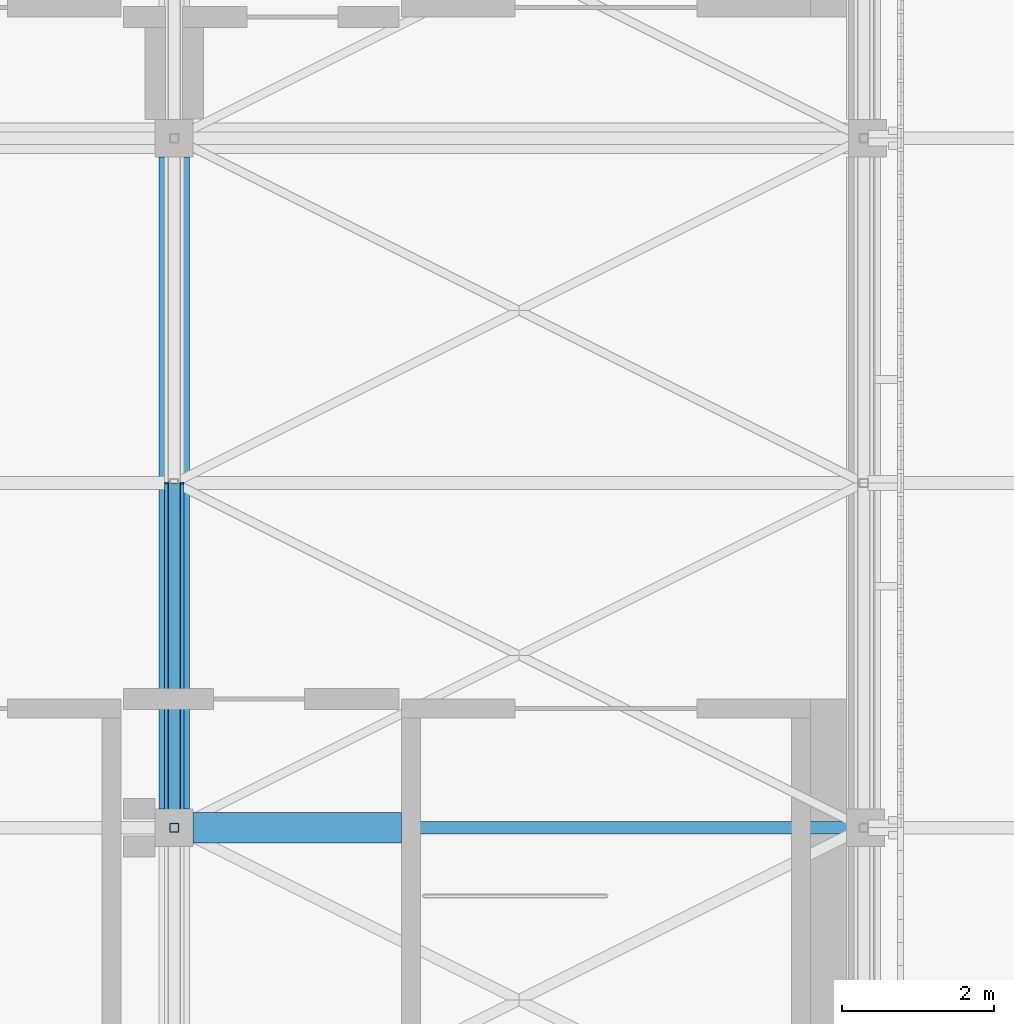
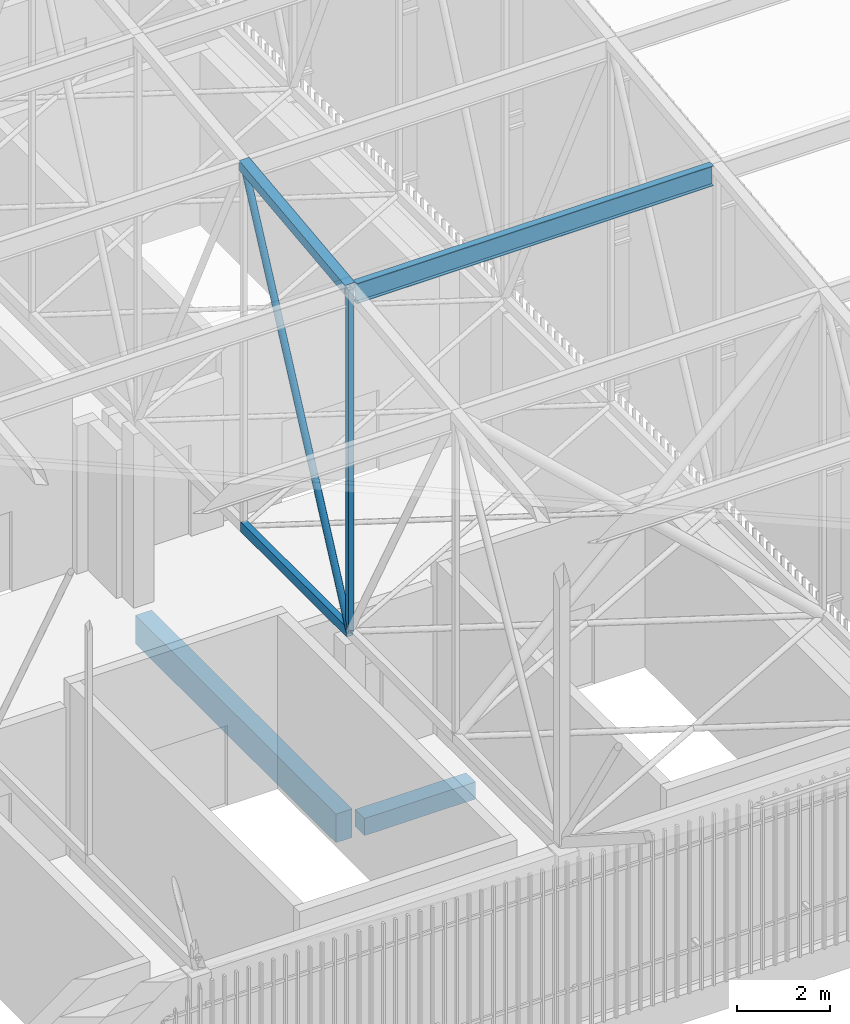
# One storey, part 341 of 500: 5 members, 2 beams.
"""IFC4 building model written with IfcOpenShell, lengths in metres."""

from ifc_helpers import new_model, si_unit, direction, frame, origin, origin_2d, place, context, subcontext, project, spatial, rectangle, hollow_rectangle, hollow_circle, i_section, extrude, material, material_profile, profile_set, type_object, element, save


model = new_model("IFC4")

# Units and contexts
model_context = context("Model", 3, precision=1e-05, world=origin(), true_north=direction((0.0, 1.0)))
body_context = subcontext(model_context, "Body", "Model", "MODEL_VIEW")
ifc_project = project(units=[si_unit("LENGTHUNIT", "METRE"), si_unit("AREAUNIT", "SQUARE_METRE"), si_unit("VOLUMEUNIT", "CUBIC_METRE"), si_unit("PLANEANGLEUNIT", "RADIAN"), si_unit("MASSUNIT", "GRAM", prefix="KILO")], contexts=[model_context])

# Site, building, storey
site_placement = place(None, origin())
site = spatial("IfcSite", under=ifc_project, at=site_placement, CompositionType="ELEMENT")
building_placement = place(site_placement, origin())
building = spatial("IfcBuilding", under=site, at=building_placement, Name="Shirokan Park Arena", CompositionType="ELEMENT")
storey_placement = place(building_placement, frame((0.0, 0.0, 29.1201171875)))
storey = spatial("IfcBuildingStorey", under=building, at=storey_placement, Name="L06", CompositionType="ELEMENT", Elevation=29.1201171875)

# Members
ifc_material_1 = material(Name="Steel ASTM A500 Grade C", Category="steel")
ifc_material_profile_1 = material_profile(ifc_material_1, hollow_rectangle(XDim=0.152099609375, YDim=0.25390625, WallThickness=0.009521484375, at=origin_2d()), Name="HSS254X152.4X9.5")
ifc_profile_set_1 = profile_set([ifc_material_profile_1], Name="Steel ASTM A500 Grade C")
member_type_1 = type_object("IfcMemberType", Name="Bottom chord HSS254X152.4X9.5", PredefinedType="CHORD", material=ifc_profile_set_1)
member_1_placement = place(storey_placement, frame((136.5, 9.10009765625, 4.677001953125), z_axis=(0.0, 1.0, 0.0), x_axis=(-1.0, 0.0, 0.0)))
element("IfcMember", 1, at=member_1_placement, inside=storey, type_object=member_type_1, Name="Truss T16 bottom chord 5", PredefinedType="CHORD", context=body_context, shape_type="SweptSolid", body=[
    extrude(hollow_rectangle(XDim=0.152099609375, YDim=0.25390625, WallThickness=0.009521484375, at=origin_2d()), origin(), (0.0, 0.0, 1.0), 4.5498046875),
])
ifc_material_2 = material(Name="Steel ASTM A992", Category="steel")
ifc_material_profile_2 = material_profile(ifc_material_2, i_section(OverallWidth=0.166015625, OverallDepth=0.528076171875, WebThickness=0.009765625, FlangeThickness=0.013671875, at=origin_2d()), Name="W530X74")
ifc_profile_set_2 = profile_set([ifc_material_profile_2], Name="Steel ASTM A992")
member_type_2 = type_object("IfcMemberType", Name="Purlin W530X74", PredefinedType="PURLIN", material=ifc_profile_set_2)
member_2_placement = place(storey_placement, frame((136.626953125, 9.10009765625, 13.52587890625), z_axis=(1.0, 0.0, 0.0), x_axis=(0.0, 1.0, 0.0)))
element("IfcMember", 2, at=member_2_placement, inside=storey, type_object=member_type_2, Name="Purlin 5 bay 16", PredefinedType="PURLIN", context=body_context, shape_type="SweptSolid", body=[
    extrude(i_section(OverallWidth=0.166015625, OverallDepth=0.528076171875, WebThickness=0.009765625, FlangeThickness=0.013671875, at=origin_2d()), origin(), (0.0, 0.0, 1.0), 8.845947265625),
])

# Beams
ifc_material_3 = material(Name="Concrete C35", Category="concrete")
ifc_material_profile_3 = material_profile(ifc_material_3, rectangle(XDim=0.39990234375, YDim=0.75, at=origin_2d()), Name="400x750")
ifc_profile_set_3 = profile_set([ifc_material_profile_3], Name="Concrete C35")
beam_type_1 = type_object("IfcBeamType", Name="RC girder 400x750", PredefinedType="BEAM", material=ifc_profile_set_3)
beam_1_placement = place(storey_placement, frame((136.5, 9.35009765625, -0.5751953125), z_axis=(0.0, 1.0, 0.0), x_axis=(-1.0, 0.0, 0.0)))
element("IfcBeam", 3, at=beam_1_placement, inside=storey, type_object=beam_type_1, Name="Girder 16B-16C L06", PredefinedType="BEAM", context=body_context, shape_type="SweptSolid", body=[
    extrude(rectangle(XDim=0.39990234375, YDim=0.75, at=origin_2d()), origin(), (0.0, 0.0, 1.0), 8.599853515625),
])
ifc_material_profile_4 = material_profile(ifc_material_3, rectangle(XDim=0.39990234375, YDim=0.449951171875, at=origin_2d()), Name="400x450")
ifc_profile_set_4 = profile_set([ifc_material_profile_4], Name="Concrete C35")
beam_type_2 = type_object("IfcBeamType", Name="RC trimmer 400x450", PredefinedType="BEAM", material=ifc_profile_set_4)
beam_2_placement = place(storey_placement, frame((136.75, 9.10009765625, -0.425048828125), z_axis=(1.0, 0.0, 0.0), x_axis=(0.0, 1.0, 0.0)))
element("IfcBeam", 4, at=beam_2_placement, inside=storey, type_object=beam_type_2, Name="Girder 16B-17B L06", PredefinedType="BEAM", context=body_context, shape_type="SweptSolid", body=[
    extrude(rectangle(XDim=0.39990234375, YDim=0.449951171875, at=origin_2d()), origin(), (0.0, 0.0, 1.0), 2.75),
])

# Members
ifc_material_profile_5 = material_profile(ifc_material_1, hollow_rectangle(XDim=0.25390625, YDim=0.25390625, WallThickness=0.009521484375, at=origin_2d()), Name="HSS254X254X9.5")
ifc_profile_set_5 = profile_set([ifc_material_profile_5], Name="Steel ASTM A500 Grade C")
member_type_3 = type_object("IfcMemberType", Name="Top chord HSS254X254X9.5", PredefinedType="CHORD", material=ifc_profile_set_5)
member_3_placement = place(storey_placement, frame((136.5, 9.10009765625, 13.662841796875), z_axis=(0.0, 0.993531641592, 0.11355561261), x_axis=(-1.0, 0.0, 0.0)))
element("IfcMember", 5, at=member_3_placement, inside=storey, type_object=member_type_3, Name="Truss T16 top chord 5", PredefinedType="CHORD", context=body_context, shape_type="SweptSolid", body=[
    extrude(hollow_rectangle(XDim=0.25390625, YDim=0.25390625, WallThickness=0.009521484375, at=origin_2d()), origin(), (0.0, 0.0, 1.0), 4.579345703125),
])
ifc_material_profile_6 = material_profile(ifc_material_1, hollow_circle(Radius=0.083984375, WallThickness=0.009521484375, at=origin_2d()), Name="HSS168.3X9.5")
ifc_profile_set_6 = profile_set([ifc_material_profile_6], Name="Steel ASTM A500 Grade C")
member_type_4 = type_object("IfcMemberType", Name="Truss diagonal HSS168.3X9.5", PredefinedType="BRACE", material=ifc_profile_set_6)
member_4_placement = place(storey_placement, frame((136.5, 9.10009765625, 4.677001953125), z_axis=(0.0, 0.431727628527, 0.90200402148), x_axis=(-1.0, 0.0, 0.0)))
element("IfcMember", 6, at=member_4_placement, inside=storey, type_object=member_type_4, Name="Truss T16 diagonal 5", PredefinedType="BRACE", context=body_context, shape_type="SweptSolid", body=[
    extrude(hollow_circle(Radius=0.083984375, WallThickness=0.009521484375, at=origin_2d()), origin(), (0.0, 0.0, 1.0), 10.53857421875),
])
ifc_material_profile_7 = material_profile(ifc_material_1, hollow_rectangle(XDim=0.126953125, YDim=0.126953125, WallThickness=0.0126953125, at=origin_2d()), Name="HSS127X127X12.7")
ifc_profile_set_7 = profile_set([ifc_material_profile_7], Name="Steel ASTM A500 Grade C")
member_type_5 = type_object("IfcMemberType", Name="Truss post HSS127X127X12.7", PredefinedType="POST", material=ifc_profile_set_7)
member_5_placement = place(storey_placement, frame((136.5, 9.10009765625, 4.677001953125), z_axis=(0.0, 0.0, 1.0), x_axis=(1.0, 0.0, 0.0)))
element("IfcMember", 7, at=member_5_placement, inside=storey, type_object=member_type_5, Name="Truss T16 post 5", PredefinedType="POST", context=body_context, shape_type="SweptSolid", body=[
    extrude(hollow_rectangle(XDim=0.126953125, YDim=0.126953125, WallThickness=0.0126953125, at=origin_2d()), origin(), (0.0, 0.0, 1.0), 8.98583984375),
])

save(model, "model.ifc")
